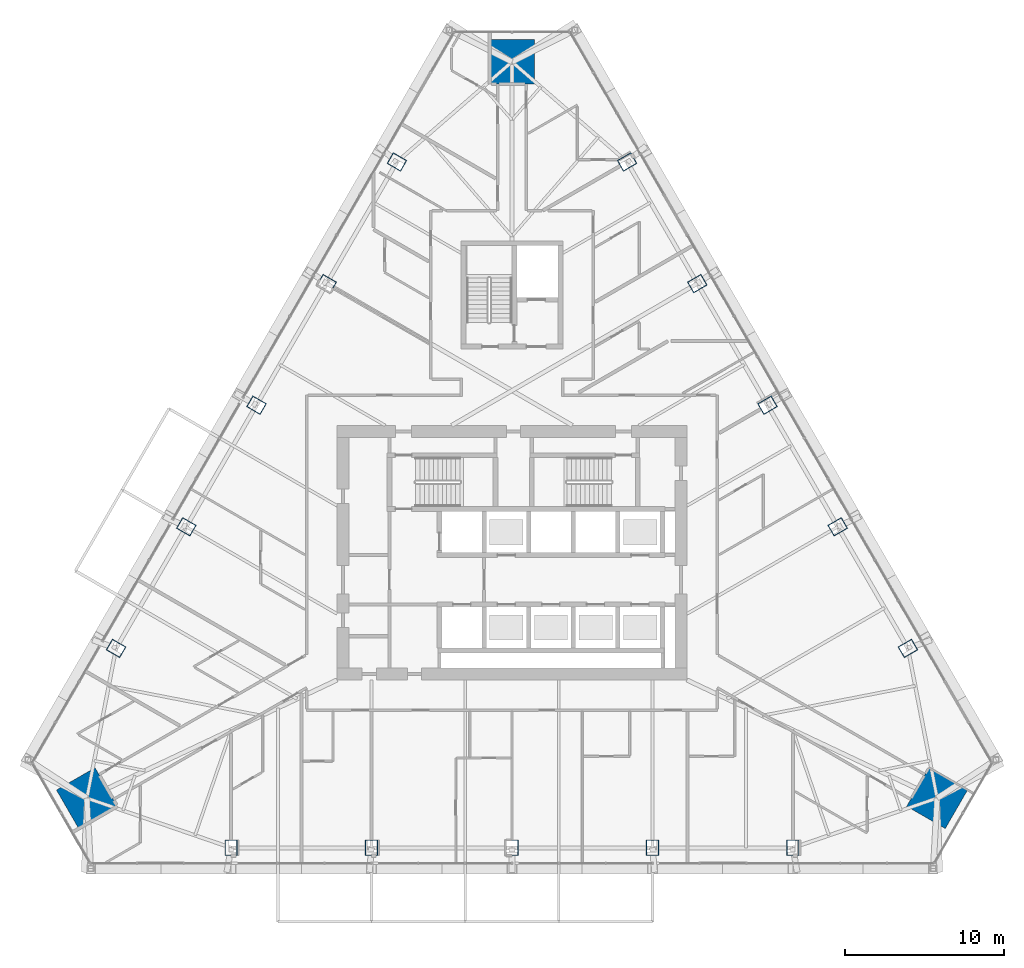
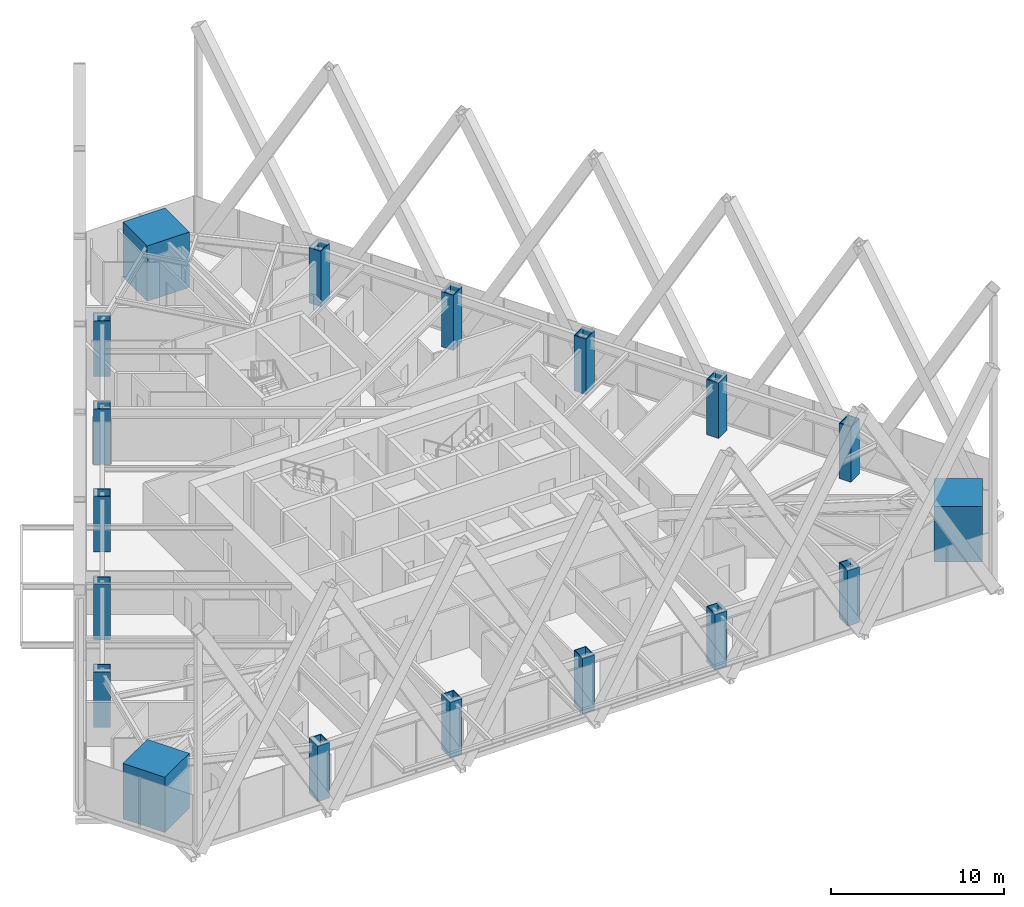
# One storey, part 1 of 19: 18 columns.
"""IFC4 building model written with IfcOpenShell, lengths in metres."""

from ifc_helpers import new_model, si_unit, direction, frame, origin, origin_2d, place, context, subcontext, project, spatial, rectangle, hollow_rectangle, extrude, material, material_profile, profile_set, type_object, element, save


model = new_model("IFC4")

# Units and contexts
model_context = context("Model", 3, precision=1e-05, world=origin(), true_north=direction((0.0, 1.0)))
body_context = subcontext(model_context, "Body", "Model", "MODEL_VIEW")
ifc_project = project(units=[si_unit("LENGTHUNIT", "METRE"), si_unit("AREAUNIT", "SQUARE_METRE"), si_unit("VOLUMEUNIT", "CUBIC_METRE"), si_unit("PLANEANGLEUNIT", "RADIAN"), si_unit("MASSUNIT", "GRAM", prefix="KILO")], contexts=[model_context])

# Site, building, storey
site_placement = place(None, origin())
site = spatial("IfcSite", under=ifc_project, at=site_placement, CompositionType="ELEMENT")
building_placement = place(site_placement, origin())
building = spatial("IfcBuilding", under=site, at=building_placement, Name="Firuza Gate Tower and Library", CompositionType="ELEMENT")
storey_placement = place(building_placement, frame((0.0, 0.0, 187.0)))
storey = spatial("IfcBuildingStorey", under=building, at=storey_placement, Name="L43", CompositionType="ELEMENT", Elevation=187.0)

# Columns
ifc_material_1 = material(Name="Steel S355", Category="steel")
ifc_material_profile_1 = material_profile(ifc_material_1, hollow_rectangle(XDim=0.800048828125, YDim=1.0, WallThickness=0.050048828125, at=origin_2d()))
ifc_profile_set_1 = profile_set([ifc_material_profile_1], Name="Steel S355")
column_type_1 = type_object("IfcColumnType", Name="BU1000x800x50 Composite box column", PredefinedType="COLUMN", material=ifc_profile_set_1)
for number, where, z_axis, x_axis, name in (
    (1, (57.352294921875, 56.459716796875, -0.00048828125), (0.0, 0.0, 1.0), (1.0, 0.0, 0.0), "Column S1 L43"),
    (2, (66.176025390625, 56.459716796875, -0.00048828125), (0.0, 0.0, 1.0), (1.0, 0.0, 0.0), "Column S2 L43"),
    (3, (75.0, 56.459716796875, -0.00048828125), (0.0, 0.0, 1.0), (1.0, 0.0, 0.0), "Column S3 L43"),
    (4, (83.823974609375, 56.459716796875, -0.00048828125), (0.0, 0.0, 1.0), (1.0, 0.0, 0.0), "Column S4 L43"),
    (5, (92.647705078125, 56.459716796875, -0.00048828125), (0.0, 0.0, 1.0), (1.0, 0.0, 0.0), "Column S5 L43"),
    (6, (99.880126953125, 68.98681640625, -0.00048828125), (0.0, 0.0, 1.0), (-0.5, 0.866025403784, 0.0), "Column E1 L43"),
    (7, (95.46826171875, 76.62841796875, -0.00048828125), (0.0, 0.0, 1.0), (-0.5, 0.866025403784, 0.0), "Column E2 L43"),
    (8, (91.056396484375, 84.270263671875, -0.00048828125), (0.0, 0.0, 1.0), (-0.5, 0.866025403784, 0.0), "Column E3 L43"),
    (9, (86.64453125, 91.911865234375, -0.00048828125), (0.0, 0.0, 1.0), (-0.5, 0.866025403784, 0.0), "Column E4 L43"),
    (10, (82.232421875, 99.553466796875, -0.00048828125), (0.0, 0.0, 1.0), (-0.5, 0.866025403784, 0.0), "Column E5 L43"),
    (11, (67.767578125, 99.553466796875, -0.00048828125), (0.0, 0.0, 1.0), (-0.5, -0.866025403784, 0.0), "Column W1 L43"),
    (12, (63.35546875, 91.911865234375, -0.00048828125), (0.0, 0.0, 1.0), (-0.5, -0.866025403784, 0.0), "Column W2 L43"),
    (13, (58.943603515625, 84.270263671875, -0.00048828125), (0.0, 0.0, 1.0), (-0.5, -0.866025403784, 0.0), "Column W3 L43"),
    (14, (54.53173828125, 76.62841796875, -0.00048828125), (0.0, 0.0, 1.0), (-0.5, -0.866025403784, 0.0), "Column W4 L43"),
    (15, (50.119873046875, 68.98681640625, -0.00048828125), (0.0, 0.0, 1.0), (-0.5, -0.866025403784, 0.0), "Column W5 L43"),
):
    element("IfcColumn", number, at=place(storey_placement, frame(where, z_axis=z_axis, x_axis=x_axis)), inside=storey, type_object=column_type_1, Name=name, PredefinedType="COLUMN", context=body_context, shape_type="SweptSolid", body=[
        extrude(hollow_rectangle(XDim=0.800048828125, YDim=1.0, WallThickness=0.050048828125, at=origin_2d()), origin(), (0.0, 0.0, 1.0), 3.900390625),
    ])
ifc_material_2 = material(Name="Concrete C80/95", Category="concrete")
ifc_material_profile_2 = material_profile(ifc_material_2, rectangle(XDim=2.800048828125, YDim=2.800048828125, at=origin_2d()))
ifc_profile_set_2 = profile_set([ifc_material_profile_2], Name="Concrete C80/95")
column_type_2 = type_object("IfcColumnType", Name="Mega column 2800x2800 C80/95", PredefinedType="COLUMN", material=ifc_profile_set_2)
for number, where, z_axis, x_axis, name in (
    (16, (101.712646484375, 59.577392578125, 0.0), (0.0, 0.0, 1.0), (0.5, 0.866025403784, 0.0), "Mega column SE L43"),
    (17, (75.0, 105.84521484375, 0.0), (0.0, 0.0, 1.0), (-1.0, 0.0, 0.0), "Mega column N L43"),
    (18, (48.287353515625, 59.577392578125, 0.0), (0.0, 0.0, 1.0), (0.5, -0.866025403784, 0.0), "Mega column SW L43"),
):
    element("IfcColumn", number, at=place(storey_placement, frame(where, z_axis=z_axis, x_axis=x_axis)), inside=storey, type_object=column_type_2, Name=name, PredefinedType="COLUMN", context=body_context, shape_type="SweptSolid", body=[
        extrude(rectangle(XDim=2.800048828125, YDim=2.800048828125, at=origin_2d()), origin(), (0.0, 0.0, 1.0), 3.89990234375),
    ])

save(model, "model.ifc")
